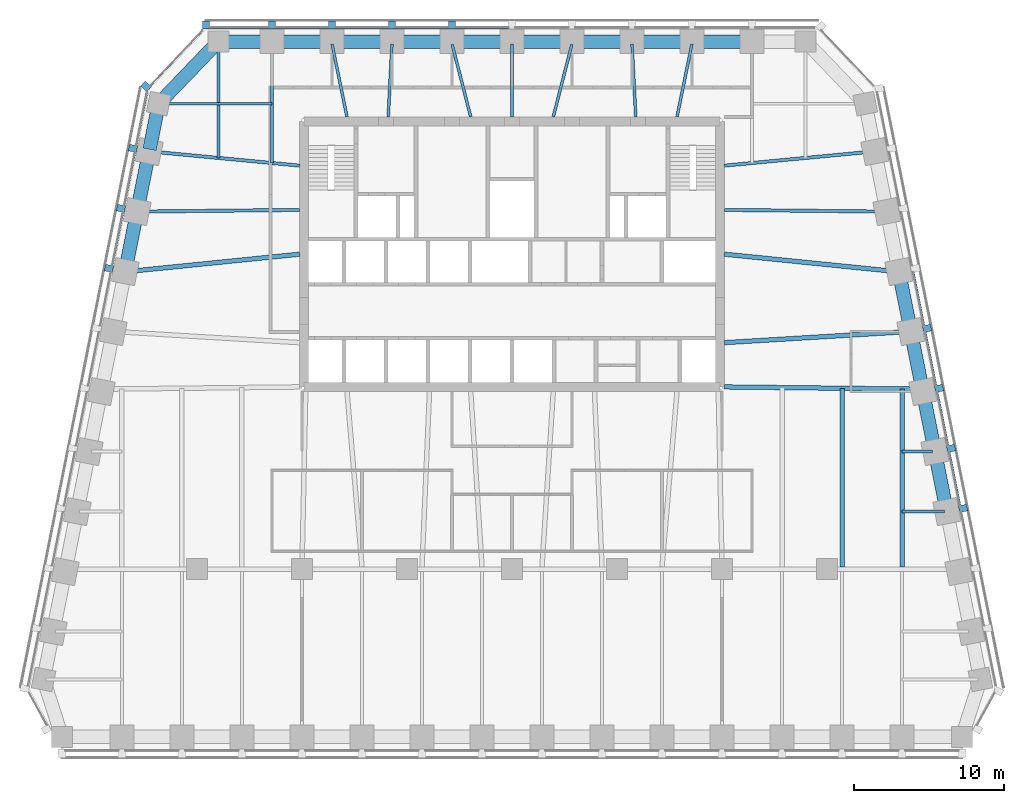
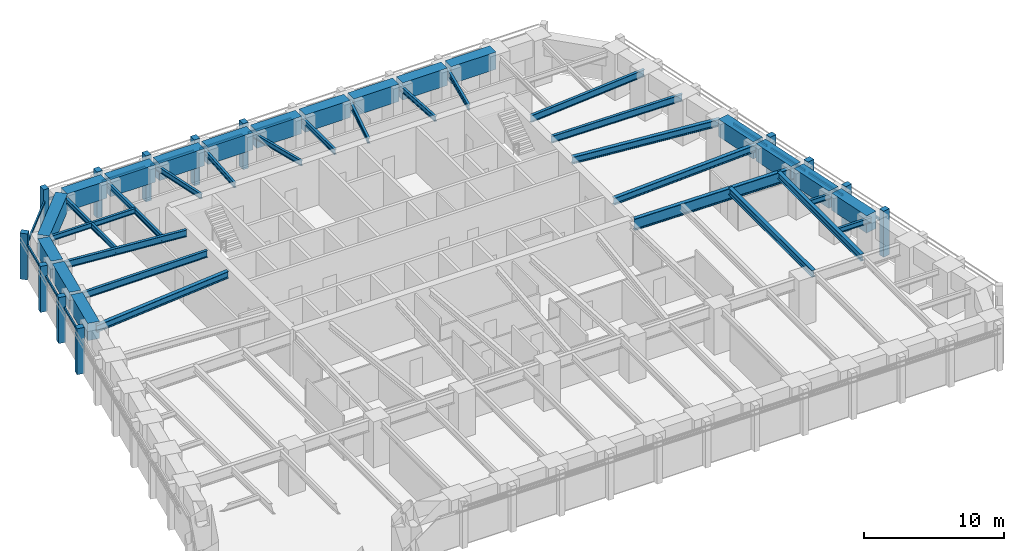
# One storey, part 3 of 10: 39 beams, 26 members, 4 elements without a shape of their own.
"""IFC4 building model written with IfcOpenShell, lengths in metres."""

from ifc_helpers import new_model, si_unit, direction, frame, origin, origin_2d, place, context, subcontext, project, spatial, rectangle, i_section, extrude, material, material_profile, profile_set, type_object, element, aggregate, save


model = new_model("IFC4")

# Units and contexts
model_context = context("Model", 3, precision=1e-05, world=origin(), true_north=direction((0.0, 1.0)))
body_context = subcontext(model_context, "Body", "Model", "MODEL_VIEW")
ifc_project = project(units=[si_unit("LENGTHUNIT", "METRE"), si_unit("AREAUNIT", "SQUARE_METRE"), si_unit("VOLUMEUNIT", "CUBIC_METRE"), si_unit("PLANEANGLEUNIT", "RADIAN"), si_unit("MASSUNIT", "GRAM", prefix="KILO")], contexts=[model_context])

# Site, building, storey
site_placement = place(None, origin())
site = spatial("IfcSite", under=ifc_project, at=site_placement, CompositionType="ELEMENT")
building_placement = place(site_placement, origin())
building = spatial("IfcBuilding", under=site, at=building_placement, Name="Isbrekke Arena Tower", CompositionType="ELEMENT")
storey_placement = place(building_placement, frame((0.0, 0.0, 186.0)))
storey = spatial("IfcBuildingStorey", under=building, at=storey_placement, Name="L42", CompositionType="ELEMENT", Elevation=186.0)

# Beams
ifc_material_1 = material(Name="Steel S355", Category="steel")
ifc_material_profile_1 = material_profile(ifc_material_1, i_section(OverallWidth=0.219970703125, OverallDepth=0.60009765625, WebThickness=0.011962890625, FlangeThickness=0.01904296875, FilletRadius=0.02392578125, at=origin_2d()), Name="IPE 600")
ifc_profile_set_1 = profile_set([ifc_material_profile_1], Name="Steel S355")
beam_type_1 = type_object("IfcBeamType", Name="B1 IPE 600", PredefinedType="BEAM", material=ifc_profile_set_1)
beam_1_placement = place(storey_placement, frame((24.83984375, 17.838134765625, 3.550048828125), z_axis=(-0.999945299061, 0.010459392202, 0.0), x_axis=(-0.010459392202, -0.999945299061, 0.0)))
element("IfcBeam", 1, at=beam_1_placement, inside=storey, type_object=beam_type_1, Name="B1 beam E-E09 L42", PredefinedType="BEAM", context=body_context, shape_type="SweptSolid", body=[
    extrude(i_section(OverallWidth=0.219970703125, OverallDepth=0.60009765625, WebThickness=0.011962890625, FlangeThickness=0.01904296875, FilletRadius=0.02392578125, at=origin_2d()), origin(), (0.0, 0.0, 1.0), 10.6904296875),
])
for number, where, z_axis, x_axis, name in (
    (2, (24.03076171875, 21.837158203125, 3.550048828125), (-0.99553133081, -0.094431823952, 0.0), (0.094431823952, -0.99553133081, 0.0), "B1 beam E-E10 L42"),
    (3, (-24.03076171875, 21.837158203125, 3.550048828125), (0.99553133081, -0.094431823952, 0.0), (0.094431823952, 0.99553133081, 0.0), "B1 beam E-W02 L42"),
):
    element("IfcBeam", number, at=place(storey_placement, frame(where, z_axis=z_axis, x_axis=x_axis)), inside=storey, type_object=beam_type_1, Name=name, PredefinedType="BEAM", context=body_context, shape_type="SweptSolid", body=[
        extrude(i_section(OverallWidth=0.219970703125, OverallDepth=0.60009765625, WebThickness=0.011962890625, FlangeThickness=0.01904296875, FilletRadius=0.02392578125, at=origin_2d()), origin(), (0.0, 0.0, 1.0), 9.92529296875),
    ])
beam_2_placement = place(storey_placement, frame((-24.83984375, 17.838134765625, 3.550048828125), z_axis=(0.999945299061, 0.010459392202, 0.0), x_axis=(-0.010459392202, 0.999945299061, 0.0)))
element("IfcBeam", 4, at=beam_2_placement, inside=storey, type_object=beam_type_1, Name="B1 beam E-W03 L42", PredefinedType="BEAM", context=body_context, shape_type="SweptSolid", body=[
    extrude(i_section(OverallWidth=0.219970703125, OverallDepth=0.60009765625, WebThickness=0.011962890625, FlangeThickness=0.01904296875, FilletRadius=0.02392578125, at=origin_2d()), origin(), (0.0, 0.0, 1.0), 10.6904296875),
])
ifc_material_2 = material(Name="Steel S355", Category="steel")
ifc_material_profile_2 = material_profile(ifc_material_2, i_section(OverallWidth=0.18994140625, OverallDepth=0.449951171875, WebThickness=0.009521484375, FlangeThickness=0.0146484375, FilletRadius=0.02099609375, at=origin_2d()), Name="IPE 450")
ifc_profile_set_2 = profile_set([ifc_material_profile_2], Name="Steel S355")
beam_type_2 = type_object("IfcBeamType", Name="B2 IPE 450", PredefinedType="BEAM", material=ifc_profile_set_2)
beam_3_placement = place(storey_placement, frame((28.841064453125, -2.161865234375, 3.625), z_axis=(-1.0, 0.0, 0.0), x_axis=(0.0, -1.0, 0.0)))
element("IfcBeam", 5, at=beam_3_placement, inside=storey, type_object=beam_type_2, Name="B2 beam E-E04 L42", PredefinedType="BEAM", context=body_context, shape_type="SweptSolid", body=[
    extrude(i_section(OverallWidth=0.18994140625, OverallDepth=0.449951171875, WebThickness=0.009521484375, FlangeThickness=0.0146484375, FilletRadius=0.02099609375, at=origin_2d()), origin(), (0.0, 0.0, 1.0), 2.841064453125),
])
beam_4_placement = place(storey_placement, frame((28.041015625, 1.838134765625, 3.625), z_axis=(-1.0, 0.0, 0.0), x_axis=(0.0, -1.0, 0.0)))
element("IfcBeam", 6, at=beam_4_placement, inside=storey, type_object=beam_type_2, Name="B2 beam E-E05 L42", PredefinedType="BEAM", context=body_context, shape_type="SweptSolid", body=[
    extrude(i_section(OverallWidth=0.18994140625, OverallDepth=0.449951171875, WebThickness=0.009521484375, FlangeThickness=0.0146484375, FilletRadius=0.02099609375, at=origin_2d()), origin(), (0.0, 0.0, 1.0), 2.041015625),
])
beam_5_placement = place(storey_placement, frame((-23.40283203125, 25.029296875, 3.625), z_axis=(1.0, 0.0, 0.0), x_axis=(0.0, 1.0, 0.0)))
element("IfcBeam", 7, at=beam_5_placement, inside=storey, type_object=beam_type_2, Name="B2 beam E-W01 L42", PredefinedType="BEAM", context=body_context, shape_type="SweptSolid", body=[
    extrude(i_section(OverallWidth=0.18994140625, OverallDepth=0.449951171875, WebThickness=0.009521484375, FlangeThickness=0.0146484375, FilletRadius=0.02099609375, at=origin_2d()), origin(), (0.0, 0.0, 1.0), 7.40283203125),
])
ifc_material_3 = material(Name="Steel S355", Category="steel")
ifc_material_profile_3 = material_profile(ifc_material_3, i_section(OverallWidth=0.18994140625, OverallDepth=0.449951171875, WebThickness=0.009521484375, FlangeThickness=0.0146484375, FilletRadius=0.02099609375, at=origin_2d()), Name="IPE 450")
ifc_profile_set_3 = profile_set([ifc_material_profile_3], Name="Steel S355")
beam_type_3 = type_object("IfcBeamType", Name="B3 IPE 450", PredefinedType="BEAM", material=ifc_profile_set_3)
beam_6_placement = place(storey_placement, frame((-16.0, 29.02490234375, 3.625), z_axis=(0.0, -1.0, 0.0), x_axis=(1.0, 0.0, 0.0)))
element("IfcBeam", 8, at=beam_6_placement, inside=storey, type_object=beam_type_3, Name="B3 beam N-N10 L42", PredefinedType="BEAM", context=body_context, shape_type="SweptSolid", body=[
    extrude(i_section(OverallWidth=0.18994140625, OverallDepth=0.449951171875, WebThickness=0.009521484375, FlangeThickness=0.0146484375, FilletRadius=0.02099609375, at=origin_2d()), origin(), (0.0, 0.0, 1.0), 7.949462890625),
])
beam_7_placement = place(storey_placement, frame((-19.574951171875, 29.02490234375, 3.625), z_axis=(0.0, -1.0, 0.0), x_axis=(1.0, 0.0, 0.0)))
element("IfcBeam", 9, at=beam_7_placement, inside=storey, type_object=beam_type_3, Name="B3 beam N-N11 L42", PredefinedType="BEAM", context=body_context, shape_type="SweptSolid", body=[
    extrude(i_section(OverallWidth=0.18994140625, OverallDepth=0.449951171875, WebThickness=0.009521484375, FlangeThickness=0.0146484375, FilletRadius=0.02099609375, at=origin_2d()), origin(), (0.0, 0.0, 1.0), 7.6103515625),
])
beam_8_placement = place(storey_placement, frame((11.99609375, 29.00634765625, 3.625), z_axis=(-0.200924755878, -0.979606677435, 0.0), x_axis=(0.979606677435, -0.200924755878, 0.0)))
element("IfcBeam", 10, at=beam_8_placement, inside=storey, type_object=beam_type_3, Name="B3 beam N-N03 L42", PredefinedType="BEAM", context=body_context, shape_type="SweptSolid", body=[
    extrude(i_section(OverallWidth=0.18994140625, OverallDepth=0.449951171875, WebThickness=0.009521484375, FlangeThickness=0.0146484375, FilletRadius=0.02099609375, at=origin_2d()), origin(), (0.0, 0.0, 1.0), 4.95751953125),
])
beam_9_placement = place(storey_placement, frame((8.000244140625, 29.02001953125, 3.625), z_axis=(0.051216032312, -0.998687597817, 0.0), x_axis=(0.998687597817, 0.051216032312, 0.0)))
element("IfcBeam", 11, at=beam_9_placement, inside=storey, type_object=beam_type_3, Name="B3 beam N-N04 L42", PredefinedType="BEAM", context=body_context, shape_type="SweptSolid", body=[
    extrude(i_section(OverallWidth=0.18994140625, OverallDepth=0.449951171875, WebThickness=0.009521484375, FlangeThickness=0.0146484375, FilletRadius=0.02099609375, at=origin_2d()), origin(), (0.0, 0.0, 1.0), 4.87646484375),
])
beam_10_placement = place(storey_placement, frame((3.994140625, 29.002197265625, 3.625), z_axis=(-0.248368314686, -0.968665670012, 0.0), x_axis=(0.968665670012, -0.248368314686, 0.0)))
element("IfcBeam", 12, at=beam_10_placement, inside=storey, type_object=beam_type_3, Name="B3 beam N-N05 L42", PredefinedType="BEAM", context=body_context, shape_type="SweptSolid", body=[
    extrude(i_section(OverallWidth=0.18994140625, OverallDepth=0.449951171875, WebThickness=0.009521484375, FlangeThickness=0.0146484375, FilletRadius=0.02099609375, at=origin_2d()), origin(), (0.0, 0.0, 1.0), 5.00927734375),
])
beam_11_placement = place(storey_placement, frame((0.0, 29.02490234375, 3.625), z_axis=(0.0, -1.0, 0.0), x_axis=(1.0, 0.0, 0.0)))
element("IfcBeam", 13, at=beam_11_placement, inside=storey, type_object=beam_type_3, Name="B3 beam N-N06 L42", PredefinedType="BEAM", context=body_context, shape_type="SweptSolid", body=[
    extrude(i_section(OverallWidth=0.18994140625, OverallDepth=0.449951171875, WebThickness=0.009521484375, FlangeThickness=0.0146484375, FilletRadius=0.02099609375, at=origin_2d()), origin(), (0.0, 0.0, 1.0), 4.875),
])
beam_12_placement = place(storey_placement, frame((-3.994140625, 29.002197265625, 3.625), z_axis=(0.248368314686, -0.968665670012, 0.0), x_axis=(0.968665670012, 0.248368314686, 0.0)))
element("IfcBeam", 14, at=beam_12_placement, inside=storey, type_object=beam_type_3, Name="B3 beam N-N07 L42", PredefinedType="BEAM", context=body_context, shape_type="SweptSolid", body=[
    extrude(i_section(OverallWidth=0.18994140625, OverallDepth=0.449951171875, WebThickness=0.009521484375, FlangeThickness=0.0146484375, FilletRadius=0.02099609375, at=origin_2d()), origin(), (0.0, 0.0, 1.0), 5.00927734375),
])
beam_13_placement = place(storey_placement, frame((-8.000244140625, 29.02001953125, 3.625), z_axis=(-0.051216032312, -0.998687597817, 0.0), x_axis=(0.998687597817, -0.051216032312, 0.0)))
element("IfcBeam", 15, at=beam_13_placement, inside=storey, type_object=beam_type_3, Name="B3 beam N-N08 L42", PredefinedType="BEAM", context=body_context, shape_type="SweptSolid", body=[
    extrude(i_section(OverallWidth=0.18994140625, OverallDepth=0.449951171875, WebThickness=0.009521484375, FlangeThickness=0.0146484375, FilletRadius=0.02099609375, at=origin_2d()), origin(), (0.0, 0.0, 1.0), 4.87646484375),
])
beam_14_placement = place(storey_placement, frame((-11.99609375, 29.00634765625, 3.625), z_axis=(0.200924755878, -0.979606677435, 0.0), x_axis=(0.979606677435, 0.200924755878, 0.0)))
element("IfcBeam", 16, at=beam_14_placement, inside=storey, type_object=beam_type_3, Name="B3 beam N-N09 L42", PredefinedType="BEAM", context=body_context, shape_type="SweptSolid", body=[
    extrude(i_section(OverallWidth=0.18994140625, OverallDepth=0.449951171875, WebThickness=0.009521484375, FlangeThickness=0.0146484375, FilletRadius=0.02099609375, at=origin_2d()), origin(), (0.0, 0.0, 1.0), 4.95751953125),
])
ifc_material_4 = material(Name="Steel S355", Category="steel")
ifc_material_profile_4 = material_profile(ifc_material_4, i_section(OverallWidth=0.300048828125, OverallDepth=0.60009765625, WebThickness=0.015380859375, FlangeThickness=0.030029296875, FilletRadius=0.027099609375, at=origin_2d()), Name="HEB 600")
ifc_profile_set_4 = profile_set([ifc_material_profile_4], Name="Steel S355")
beam_type_4 = type_object("IfcBeamType", Name="B7 HEB 600", PredefinedType="BEAM", material=ifc_profile_set_4)
beam_15_placement = place(storey_placement, frame((22.0, -5.84912109375, 3.550048828125), z_axis=(0.0, 1.0, 0.0), x_axis=(-1.0, 0.0, 0.0)))
element("IfcBeam", 17, at=beam_15_placement, inside=storey, type_object=beam_type_4, Name="B7 beam C-M13 L42", PredefinedType="BEAM", context=body_context, shape_type="SweptSolid", body=[
    extrude(i_section(OverallWidth=0.300048828125, OverallDepth=0.60009765625, WebThickness=0.015380859375, FlangeThickness=0.030029296875, FilletRadius=0.027099609375, at=origin_2d()), origin(), (0.0, 0.0, 1.0), 11.91015625),
])
beam_16_placement = place(storey_placement, frame((26.0, -5.84912109375, 3.550048828125), z_axis=(0.0, 1.0, 0.0), x_axis=(-1.0, 0.0, 0.0)))
element("IfcBeam", 18, at=beam_16_placement, inside=storey, type_object=beam_type_4, Name="B7 beam C-M14 L42", PredefinedType="BEAM", context=body_context, shape_type="SweptSolid", body=[
    extrude(i_section(OverallWidth=0.300048828125, OverallDepth=0.60009765625, WebThickness=0.015380859375, FlangeThickness=0.030029296875, FilletRadius=0.027099609375, at=origin_2d()), origin(), (0.0, 0.0, 1.0), 11.864990234375),
])
beam_17_placement = place(storey_placement, frame((26.43212890625, 9.837646484375, 3.550048828125), z_axis=(-0.998201854902, -0.059942112659, 0.0), x_axis=(0.059942112659, -0.998201854902, 0.0)))
element("IfcBeam", 19, at=beam_17_placement, inside=storey, type_object=beam_type_4, Name="B7 beam E-E07 L42", PredefinedType="BEAM", context=body_context, shape_type="SweptSolid", body=[
    extrude(i_section(OverallWidth=0.300048828125, OverallDepth=0.60009765625, WebThickness=0.015380859375, FlangeThickness=0.030029296875, FilletRadius=0.027099609375, at=origin_2d()), origin(), (0.0, 0.0, 1.0), 12.304443359375),
])
for number, where, z_axis, x_axis, name in (
    (20, (25.6259765625, 13.83984375, 3.550048828125), (-0.994928891111, 0.100580821396, 0.0), (-0.100580821396, -0.994928891111, 0.0), "B7 beam E-E08 L42"),
    (21, (-25.6259765625, 13.83984375, 3.550048828125), (0.994928891111, 0.100580821396, 0.0), (-0.100580821396, 0.994928891111, 0.0), "B7 beam E-W04 L42"),
):
    element("IfcBeam", number, at=place(storey_placement, frame(where, z_axis=z_axis, x_axis=x_axis)), inside=storey, type_object=beam_type_4, Name=name, PredefinedType="BEAM", context=body_context, shape_type="SweptSolid", body=[
        extrude(i_section(OverallWidth=0.300048828125, OverallDepth=0.60009765625, WebThickness=0.015380859375, FlangeThickness=0.030029296875, FilletRadius=0.027099609375, at=origin_2d()), origin(), (0.0, 0.0, 1.0), 11.53466796875),
    ])

# Curtain wall, members
ifc_material_5 = material(Name="Glazed aluminium curtain wall", Category="aluminium")
curtain_wall_type = type_object("IfcCurtainWallType", Name="CWH TOWER CURTAIN WALL HIGH ZONE", PredefinedType="USERDEFINED", material=ifc_material_5)
curtain_wall_1_placement = place(storey_placement, origin())
curtain_wall_1 = element("IfcCurtainWall", 22, at=curtain_wall_1_placement, inside=storey, type_object=curtain_wall_type, Name="CWH curtain wall L42-E", ObjectType="TOWER CURTAIN WALL HIGH ZONE", PredefinedType="USERDEFINED")
ifc_material_6 = material(Name="Aluminium mullion, pale brick slip cladding", Category="masonry")
ifc_material_profile_5 = material_profile(ifc_material_6, rectangle(XDim=0.449951171875, YDim=0.550048828125, at=origin_2d()), Name="PIER 450X550")
ifc_profile_set_5 = profile_set([ifc_material_profile_5], Name="Aluminium mullion, pale brick slip cladding")
member_type_1 = type_object("IfcMemberType", Name="CWH-M PIER MULLION 450 x 550", PredefinedType="MULLION", material=ifc_profile_set_5)
member_1_placement = place(storey_placement, frame((30.069580078125, -1.946044921875, 0.0), z_axis=(0.0, 0.0, 1.0), x_axis=(-0.196116135138, 0.980580675691, 0.0)))
member_1 = element("IfcMember", 23, at=member_1_placement, type_object=member_type_1, Name="CWH-M mullion 3", PredefinedType="MULLION", context=body_context, shape_type="SweptSolid", body=[
    extrude(rectangle(XDim=0.449951171875, YDim=0.550048828125, at=origin_2d()), origin(), (0.0, 0.0, 1.0), 4.0),
])
member_2_placement = place(storey_placement, frame((29.269775390625, 2.053955078125, 0.0), z_axis=(0.0, 0.0, 1.0), x_axis=(-0.196116135138, 0.980580675691, 0.0)))
member_2 = element("IfcMember", 24, at=member_2_placement, type_object=member_type_1, Name="CWH-M mullion 4", PredefinedType="MULLION", context=body_context, shape_type="SweptSolid", body=[
    extrude(rectangle(XDim=0.449951171875, YDim=0.550048828125, at=origin_2d()), origin(), (0.0, 0.0, 1.0), 4.0),
])
member_3_placement = place(storey_placement, frame((28.4697265625, 6.053955078125, 0.0), z_axis=(0.0, 0.0, 1.0), x_axis=(-0.196116135138, 0.980580675691, 0.0)))
member_3 = element("IfcMember", 25, at=member_3_placement, type_object=member_type_1, Name="CWH-M mullion 5", PredefinedType="MULLION", context=body_context, shape_type="SweptSolid", body=[
    extrude(rectangle(XDim=0.449951171875, YDim=0.550048828125, at=origin_2d()), origin(), (0.0, 0.0, 1.0), 4.0),
])
member_4_placement = place(storey_placement, frame((27.669677734375, 10.053955078125, 0.0), z_axis=(0.0, 0.0, 1.0), x_axis=(-0.196116135138, 0.980580675691, 0.0)))
member_4 = element("IfcMember", 26, at=member_4_placement, type_object=member_type_1, Name="CWH-M mullion 6", PredefinedType="MULLION", context=body_context, shape_type="SweptSolid", body=[
    extrude(rectangle(XDim=0.449951171875, YDim=0.550048828125, at=origin_2d()), origin(), (0.0, 0.0, 1.0), 4.0),
])

curtain_wall_2_placement = place(storey_placement, origin())
curtain_wall_2 = element("IfcCurtainWall", 27, at=curtain_wall_2_placement, inside=storey, type_object=curtain_wall_type, Name="CWH curtain wall L42-N", ObjectType="TOWER CURTAIN WALL HIGH ZONE", PredefinedType="USERDEFINED")
member_5_placement = place(storey_placement, frame((-4.0, 30.27490234375, 0.0), z_axis=(0.0, 0.0, 1.0), x_axis=(-1.0, 0.0, 0.0)))
member_5 = element("IfcMember", 28, at=member_5_placement, type_object=member_type_1, Name="CWH-M mullion 6", PredefinedType="MULLION", context=body_context, shape_type="SweptSolid", body=[
    extrude(rectangle(XDim=0.449951171875, YDim=0.550048828125, at=origin_2d()), origin(), (0.0, 0.0, 1.0), 4.0),
])
member_6_placement = place(storey_placement, frame((-8.0, 30.27490234375, 0.0), z_axis=(0.0, 0.0, 1.0), x_axis=(-1.0, 0.0, 0.0)))
member_6 = element("IfcMember", 29, at=member_6_placement, type_object=member_type_1, Name="CWH-M mullion 7", PredefinedType="MULLION", context=body_context, shape_type="SweptSolid", body=[
    extrude(rectangle(XDim=0.449951171875, YDim=0.550048828125, at=origin_2d()), origin(), (0.0, 0.0, 1.0), 4.0),
])
member_7_placement = place(storey_placement, frame((-12.0, 30.27490234375, 0.0), z_axis=(0.0, 0.0, 1.0), x_axis=(-1.0, 0.0, 0.0)))
member_7 = element("IfcMember", 30, at=member_7_placement, type_object=member_type_1, Name="CWH-M mullion 8", PredefinedType="MULLION", context=body_context, shape_type="SweptSolid", body=[
    extrude(rectangle(XDim=0.449951171875, YDim=0.550048828125, at=origin_2d()), origin(), (0.0, 0.0, 1.0), 4.0),
])
member_8_placement = place(storey_placement, frame((-16.0, 30.27490234375, 0.0), z_axis=(0.0, 0.0, 1.0), x_axis=(-1.0, 0.0, 0.0)))
member_8 = element("IfcMember", 31, at=member_8_placement, type_object=member_type_1, Name="CWH-M mullion 9", PredefinedType="MULLION", context=body_context, shape_type="SweptSolid", body=[
    extrude(rectangle(XDim=0.449951171875, YDim=0.550048828125, at=origin_2d()), origin(), (0.0, 0.0, 1.0), 4.0),
])
member_9_placement = place(storey_placement, frame((-20.39990234375, 30.27490234375, 0.0), z_axis=(0.0, 0.0, 1.0), x_axis=(-1.0, 0.0, 0.0)))
member_9 = element("IfcMember", 32, at=member_9_placement, type_object=member_type_1, Name="CWH-M mullion 10", PredefinedType="MULLION", context=body_context, shape_type="SweptSolid", body=[
    extrude(rectangle(XDim=0.449951171875, YDim=0.550048828125, at=origin_2d()), origin(), (0.0, 0.0, 1.0), 4.0),
])

# Curtain wall, member
curtain_wall_3_placement = place(storey_placement, origin())
curtain_wall_3 = element("IfcCurtainWall", 33, at=curtain_wall_3_placement, inside=storey, type_object=curtain_wall_type, Name="CWH curtain wall L42-NW", ObjectType="TOWER CURTAIN WALL HIGH ZONE", PredefinedType="USERDEFINED")
member_10_placement = place(storey_placement, frame((-24.3994140625, 26.189453125, 0.0), z_axis=(0.0, 0.0, 1.0), x_axis=(-0.68874946192, -0.72499943359, 0.0)))
member_10 = element("IfcMember", 34, at=member_10_placement, type_object=member_type_1, Name="CWH-M mullion 1", PredefinedType="MULLION", context=body_context, shape_type="SweptSolid", body=[
    extrude(rectangle(XDim=0.449951171875, YDim=0.550048828125, at=origin_2d()), origin(), (0.0, 0.0, 1.0), 4.0),
])

# Curtain wall, members
curtain_wall_4_placement = place(storey_placement, origin())
curtain_wall_4 = element("IfcCurtainWall", 35, at=curtain_wall_4_placement, inside=storey, type_object=curtain_wall_type, Name="CWH curtain wall L42-W", ObjectType="TOWER CURTAIN WALL HIGH ZONE", PredefinedType="USERDEFINED")
member_11_placement = place(storey_placement, frame((-25.269775390625, 22.053955078125, 0.0), z_axis=(0.0, 0.0, 1.0), x_axis=(-0.196116135138, -0.980580675691, 0.0)))
member_11 = element("IfcMember", 36, at=member_11_placement, type_object=member_type_1, Name="CWH-M mullion 1", PredefinedType="MULLION", context=body_context, shape_type="SweptSolid", body=[
    extrude(rectangle(XDim=0.449951171875, YDim=0.550048828125, at=origin_2d()), origin(), (0.0, 0.0, 1.0), 4.0),
])
member_12_placement = place(storey_placement, frame((-26.069580078125, 18.053955078125, 0.0), z_axis=(0.0, 0.0, 1.0), x_axis=(-0.196116135138, -0.980580675691, 0.0)))
member_12 = element("IfcMember", 37, at=member_12_placement, type_object=member_type_1, Name="CWH-M mullion 2", PredefinedType="MULLION", context=body_context, shape_type="SweptSolid", body=[
    extrude(rectangle(XDim=0.449951171875, YDim=0.550048828125, at=origin_2d()), origin(), (0.0, 0.0, 1.0), 4.0),
])
member_13_placement = place(storey_placement, frame((-26.86962890625, 14.053955078125, 0.0), z_axis=(0.0, 0.0, 1.0), x_axis=(-0.196116135138, -0.980580675691, 0.0)))
member_13 = element("IfcMember", 38, at=member_13_placement, type_object=member_type_1, Name="CWH-M mullion 3", PredefinedType="MULLION", context=body_context, shape_type="SweptSolid", body=[
    extrude(rectangle(XDim=0.449951171875, YDim=0.550048828125, at=origin_2d()), origin(), (0.0, 0.0, 1.0), 4.0),
])

# Member
ifc_material_7 = material(Name="Aluminium transom", Category="aluminium")
ifc_material_profile_6 = material_profile(ifc_material_7, rectangle(XDim=0.1201171875, YDim=0.199951171875, at=origin_2d()), Name="TRANSOM 120X200")
ifc_profile_set_6 = profile_set([ifc_material_profile_6], Name="Aluminium transom")
member_type_2 = type_object("IfcMemberType", Name="CWH-T TRANSOM 120 x 200", PredefinedType="USERDEFINED", material=ifc_profile_set_6)
member_14_placement = place(storey_placement, frame((29.85400390625, -1.759765625, 3.0), z_axis=(-0.196154943734, 0.980572913173, 0.0), x_axis=(-0.980572913173, -0.196154943734, 0.0)))
member_14 = element("IfcMember", 39, at=member_14_placement, type_object=member_type_2, Name="CWH-T transom 4", ObjectType="TRANSOM", PredefinedType="USERDEFINED", context=body_context, shape_type="SweptSolid", body=[
    extrude(rectangle(XDim=0.1201171875, YDim=0.199951171875, at=origin_2d()), origin(), (0.0, 0.0, 1.0), 3.62939453125),
])

member_15_placement = place(storey_placement, frame((29.053955078125, 2.240234375, 3.0), z_axis=(-0.196090262229, 0.980585849918, 0.0), x_axis=(-0.980585849918, -0.196090262229, 0.0)))
member_15 = element("IfcMember", 40, at=member_15_placement, type_object=member_type_2, Name="CWH-T transom 5", ObjectType="TRANSOM", PredefinedType="USERDEFINED", context=body_context, shape_type="SweptSolid", body=[
    extrude(rectangle(XDim=0.1201171875, YDim=0.199951171875, at=origin_2d()), origin(), (0.0, 0.0, 1.0), 3.62939453125),
])

member_16_placement = place(storey_placement, frame((28.25390625, 6.240234375, 3.0), z_axis=(-0.196090262229, 0.980585849918, 0.0), x_axis=(-0.980585849918, -0.196090262229, 0.0)))
member_16 = element("IfcMember", 41, at=member_16_placement, type_object=member_type_2, Name="CWH-T transom 6", ObjectType="TRANSOM", PredefinedType="USERDEFINED", context=body_context, shape_type="SweptSolid", body=[
    extrude(rectangle(XDim=0.1201171875, YDim=0.199951171875, at=origin_2d()), origin(), (0.0, 0.0, 1.0), 3.62939453125),
])

member_17_placement = place(storey_placement, frame((27.453857421875, 10.240234375, 3.0), z_axis=(-0.196090262229, 0.980585849918, 0.0), x_axis=(-0.980585849918, -0.196090262229, 0.0)))
member_17 = element("IfcMember", 42, at=member_17_placement, type_object=member_type_2, Name="CWH-T transom 7", ObjectType="TRANSOM", PredefinedType="USERDEFINED", context=body_context, shape_type="SweptSolid", body=[
    extrude(rectangle(XDim=0.1201171875, YDim=0.199951171875, at=origin_2d()), origin(), (0.0, 0.0, 1.0), 3.62939453125),
])

aggregate(curtain_wall_1, [member_1, member_2, member_3, member_4, member_14, member_15, member_16, member_17])

member_18_placement = place(storey_placement, frame((-0.22509765625, 30.10009765625, 3.0), z_axis=(-1.0, 0.0, 0.0), x_axis=(0.0, -1.0, 0.0)))
member_18 = element("IfcMember", 43, at=member_18_placement, type_object=member_type_2, Name="CWH-T transom 6", ObjectType="TRANSOM", PredefinedType="USERDEFINED", context=body_context, shape_type="SweptSolid", body=[
    extrude(rectangle(XDim=0.1201171875, YDim=0.199951171875, at=origin_2d()), origin(), (0.0, 0.0, 1.0), 3.5498046875),
])

member_19_placement = place(storey_placement, frame((-4.22509765625, 30.10009765625, 3.0), z_axis=(-1.0, 0.0, 0.0), x_axis=(0.0, -1.0, 0.0)))
member_19 = element("IfcMember", 44, at=member_19_placement, type_object=member_type_2, Name="CWH-T transom 7", ObjectType="TRANSOM", PredefinedType="USERDEFINED", context=body_context, shape_type="SweptSolid", body=[
    extrude(rectangle(XDim=0.1201171875, YDim=0.199951171875, at=origin_2d()), origin(), (0.0, 0.0, 1.0), 3.5498046875),
])

member_20_placement = place(storey_placement, frame((-8.22509765625, 30.10009765625, 3.0), z_axis=(-1.0, 0.0, 0.0), x_axis=(0.0, -1.0, 0.0)))
member_20 = element("IfcMember", 45, at=member_20_placement, type_object=member_type_2, Name="CWH-T transom 8", ObjectType="TRANSOM", PredefinedType="USERDEFINED", context=body_context, shape_type="SweptSolid", body=[
    extrude(rectangle(XDim=0.1201171875, YDim=0.199951171875, at=origin_2d()), origin(), (0.0, 0.0, 1.0), 3.5498046875),
])

member_21_placement = place(storey_placement, frame((-12.22509765625, 30.10009765625, 3.0), z_axis=(-1.0, 0.0, 0.0), x_axis=(0.0, -1.0, 0.0)))
member_21 = element("IfcMember", 46, at=member_21_placement, type_object=member_type_2, Name="CWH-T transom 9", ObjectType="TRANSOM", PredefinedType="USERDEFINED", context=body_context, shape_type="SweptSolid", body=[
    extrude(rectangle(XDim=0.1201171875, YDim=0.199951171875, at=origin_2d()), origin(), (0.0, 0.0, 1.0), 3.5498046875),
])

member_22_placement = place(storey_placement, frame((-16.22509765625, 30.10009765625, 3.0), z_axis=(-1.0, 0.0, 0.0), x_axis=(0.0, -1.0, 0.0)))
member_22 = element("IfcMember", 47, at=member_22_placement, type_object=member_type_2, Name="CWH-T transom 10", ObjectType="TRANSOM", PredefinedType="USERDEFINED", context=body_context, shape_type="SweptSolid", body=[
    extrude(rectangle(XDim=0.1201171875, YDim=0.199951171875, at=origin_2d()), origin(), (0.0, 0.0, 1.0), 3.949951171875),
])

aggregate(curtain_wall_2, [member_5, member_6, member_7, member_8, member_9, member_18, member_19, member_20, member_21, member_22])

member_23_placement = place(storey_placement, frame((-20.62744140625, 29.90576171875, 3.0), z_axis=(-0.688734266994, -0.725013868466, 0.0), x_axis=(0.725013868466, -0.688734266994, 0.0)))
member_23 = element("IfcMember", 48, at=member_23_placement, type_object=member_type_2, Name="CWH-T transom 1", ObjectType="TRANSOM", PredefinedType="USERDEFINED", context=body_context, shape_type="SweptSolid", body=[
    extrude(rectangle(XDim=0.1201171875, YDim=0.199951171875, at=origin_2d()), origin(), (0.0, 0.0, 1.0), 5.067138671875),
])

aggregate(curtain_wall_3, [member_10, member_23])

member_24_placement = place(storey_placement, frame((-24.34228515625, 25.799072265625, 3.0), z_axis=(-0.196090262229, -0.980585849918, 0.0), x_axis=(0.980585849918, -0.196090262229, 0.0)))
member_24 = element("IfcMember", 49, at=member_24_placement, type_object=member_type_2, Name="CWH-T transom 1", ObjectType="TRANSOM", PredefinedType="USERDEFINED", context=body_context, shape_type="SweptSolid", body=[
    extrude(rectangle(XDim=0.1201171875, YDim=0.199951171875, at=origin_2d()), origin(), (0.0, 0.0, 1.0), 3.62939453125),
])

member_25_placement = place(storey_placement, frame((-25.14208984375, 21.799072265625, 3.0), z_axis=(-0.196154943734, -0.980572913173, 0.0), x_axis=(0.980572913173, -0.196154943734, 0.0)))
member_25 = element("IfcMember", 50, at=member_25_placement, type_object=member_type_2, Name="CWH-T transom 2", ObjectType="TRANSOM", PredefinedType="USERDEFINED", context=body_context, shape_type="SweptSolid", body=[
    extrude(rectangle(XDim=0.1201171875, YDim=0.199951171875, at=origin_2d()), origin(), (0.0, 0.0, 1.0), 3.62939453125),
])

member_26_placement = place(storey_placement, frame((-25.942138671875, 17.799072265625, 3.0), z_axis=(-0.196154943734, -0.980572913173, 0.0), x_axis=(0.980572913173, -0.196154943734, 0.0)))
member_26 = element("IfcMember", 51, at=member_26_placement, type_object=member_type_2, Name="CWH-T transom 3", ObjectType="TRANSOM", PredefinedType="USERDEFINED", context=body_context, shape_type="SweptSolid", body=[
    extrude(rectangle(XDim=0.1201171875, YDim=0.199951171875, at=origin_2d()), origin(), (0.0, 0.0, 1.0), 3.62939453125),
])

aggregate(curtain_wall_4, [member_11, member_12, member_13, member_24, member_25, member_26])

# Beams
ifc_material_8 = material(Name="Steel S355", Category="steel")
ifc_material_profile_7 = material_profile(ifc_material_8, i_section(OverallWidth=0.302001953125, OverallDepth=1.008056640625, WebThickness=0.02099609375, FlangeThickness=0.0400390625, FilletRadius=0.030029296875, at=origin_2d()), Name="HEM 1000")
ifc_profile_set_7 = profile_set([ifc_material_profile_7], Name="Steel S355")
beam_type_5 = type_object("IfcBeamType", Name="G2 HEM 1000", PredefinedType="BEAM", material=ifc_profile_set_7)
beam_18_placement = place(storey_placement, frame((14.14990234375, 6.14990234375, 3.345947265625), z_axis=(0.999935908299, -0.011321629528, 0.0), x_axis=(0.011321629528, 0.999935908299, 0.0)))
element("IfcBeam", 52, at=beam_18_placement, inside=storey, type_object=beam_type_5, Name="G2 beam G2-E L42", PredefinedType="BEAM", context=body_context, shape_type="SweptSolid", body=[
    extrude(i_section(OverallWidth=0.302001953125, OverallDepth=1.008056640625, WebThickness=0.02099609375, FlangeThickness=0.0400390625, FilletRadius=0.030029296875, at=origin_2d()), origin(), (0.0, 0.0, 1.0), 13.240234375),
])
ifc_material_9 = material(Name="Concrete B65 (C65/80)", Category="concrete")
ifc_material_profile_8 = material_profile(ifc_material_9, rectangle(XDim=0.89990234375, YDim=1.5, at=origin_2d()), Name="RC 900x1500")
ifc_profile_set_8 = profile_set([ifc_material_profile_8], Name="Concrete B65 (C65/80)")
beam_type_6 = type_object("IfcBeamType", Name="SB3 RC 900 x 1500", PredefinedType="SPANDREL", material=ifc_profile_set_8)
for number, where, z_axis, x_axis, name in (
    (53, (28.961669921875, -2.0146484375, 3.25), (-0.196128558387, 0.980578190959, 0.0), (-0.980578190959, -0.196128558387, 0.0), "SB3 spandrel E04-E05 L42"),
    (54, (28.16162109375, 1.9853515625, 3.25), (-0.196128558387, 0.980578190959, 0.0), (-0.980578190959, -0.196128558387, 0.0), "SB3 spandrel E05-E06 L42"),
    (55, (27.361572265625, 5.9853515625, 3.25), (-0.196128558387, 0.980578190959, 0.0), (-0.980578190959, -0.196128558387, 0.0), "SB3 spandrel E06-E07 L42"),
):
    element("IfcBeam", number, at=place(storey_placement, frame(where, z_axis=z_axis, x_axis=x_axis)), inside=storey, type_object=beam_type_6, Name=name, PredefinedType="SPANDREL", context=body_context, shape_type="SweptSolid", body=[
        extrude(rectangle(XDim=0.89990234375, YDim=1.5, at=origin_2d()), origin(), (0.0, 0.0, 1.0), 3.779296875),
    ])
beam_19_placement = place(storey_placement, frame((26.5615234375, 9.9853515625, 3.25), z_axis=(-0.1960664412, 0.980590613169, 0.0), x_axis=(-0.980590613169, -0.1960664412, 0.0)))
element("IfcBeam", 56, at=beam_19_placement, inside=storey, type_object=beam_type_6, Name="SB3 spandrel E07-E08 L42", PredefinedType="SPANDREL", context=body_context, shape_type="SweptSolid", body=[
    extrude(rectangle(XDim=0.89990234375, YDim=1.5, at=origin_2d()), origin(), (0.0, 0.0, 1.0), 3.779052734375),
])
for number, where, z_axis, x_axis, name in (
    (57, (15.85009765625, 29.175048828125, 3.25), (-1.0, 0.0, 0.0), (0.0, -1.0, 0.0), "SB3 spandrel N02-N03 L42"),
    (58, (11.85009765625, 29.175048828125, 3.25), (-1.0, 0.0, 0.0), (0.0, -1.0, 0.0), "SB3 spandrel N03-N04 L42"),
    (59, (7.85009765625, 29.175048828125, 3.25), (-1.0, 0.0, 0.0), (0.0, -1.0, 0.0), "SB3 spandrel N04-N05 L42"),
    (60, (3.85009765625, 29.175048828125, 3.25), (-1.0, 0.0, 0.0), (0.0, -1.0, 0.0), "SB3 spandrel N05-N06 L42"),
    (61, (-0.14990234375, 29.175048828125, 3.25), (-1.0, 0.0, 0.0), (0.0, -1.0, 0.0), "SB3 spandrel N06-N07 L42"),
    (62, (-4.14990234375, 29.175048828125, 3.25), (-1.0, 0.0, 0.0), (0.0, -1.0, 0.0), "SB3 spandrel N07-N08 L42"),
    (63, (-8.14990234375, 29.175048828125, 3.25), (-1.0, 0.0, 0.0), (0.0, -1.0, 0.0), "SB3 spandrel N08-N09 L42"),
    (64, (-12.14990234375, 29.175048828125, 3.25), (-1.0, 0.0, 0.0), (0.0, -1.0, 0.0), "SB3 spandrel N09-N10 L42"),
):
    element("IfcBeam", number, at=place(storey_placement, frame(where, z_axis=z_axis, x_axis=x_axis)), inside=storey, type_object=beam_type_6, Name=name, PredefinedType="SPANDREL", context=body_context, shape_type="SweptSolid", body=[
        extrude(rectangle(XDim=0.89990234375, YDim=1.5, at=origin_2d()), origin(), (0.0, 0.0, 1.0), 3.7001953125),
    ])
beam_20_placement = place(storey_placement, frame((-16.14990234375, 29.175048828125, 3.25), z_axis=(-1.0, 0.0, 0.0), x_axis=(0.0, -1.0, 0.0)))
element("IfcBeam", 65, at=beam_20_placement, inside=storey, type_object=beam_type_6, Name="SB3 spandrel N10-N11 L42", PredefinedType="SPANDREL", context=body_context, shape_type="SweptSolid", body=[
    extrude(rectangle(XDim=0.89990234375, YDim=1.5, at=origin_2d()), origin(), (0.0, 0.0, 1.0), 3.275146484375),
])
beam_21_placement = place(storey_placement, frame((-19.678955078125, 29.066650390625, 3.25), z_axis=(-0.692339547635, -0.721571861134, 0.0), x_axis=(0.721571861134, -0.692339547635, 0.0)))
element("IfcBeam", 66, at=beam_21_placement, inside=storey, type_object=beam_type_6, Name="SB3 spandrel N11-W01 L42", PredefinedType="SPANDREL", context=body_context, shape_type="SweptSolid", body=[
    extrude(rectangle(XDim=0.89990234375, YDim=1.5, at=origin_2d()), origin(), (0.0, 0.0, 1.0), 5.4453125),
])
beam_22_placement = place(storey_placement, frame((-23.582275390625, 24.882080078125, 3.25), z_axis=(-0.196116135138, -0.980580675691, 0.0), x_axis=(0.980580675691, -0.196116135138, 0.0)))
element("IfcBeam", 67, at=beam_22_placement, inside=storey, type_object=beam_type_6, Name="SB3 spandrel W01-W02 L42", PredefinedType="SPANDREL", context=body_context, shape_type="SweptSolid", body=[
    extrude(rectangle(XDim=0.89990234375, YDim=1.5, at=origin_2d()), origin(), (0.0, 0.0, 1.0), 2.9541015625),
])
for number, where, z_axis, x_axis, name in (
    (68, (-24.220458984375, 21.691162109375, 3.25), (-0.196128558387, -0.980578190959, 0.0), (0.980578190959, -0.196128558387, 0.0), "SB3 spandrel W02-W03 L42"),
    (69, (-25.0205078125, 17.691162109375, 3.25), (-0.196128558387, -0.980578190959, 0.0), (0.980578190959, -0.196128558387, 0.0), "SB3 spandrel W03-W04 L42"),
):
    element("IfcBeam", number, at=place(storey_placement, frame(where, z_axis=z_axis, x_axis=x_axis)), inside=storey, type_object=beam_type_6, Name=name, PredefinedType="SPANDREL", context=body_context, shape_type="SweptSolid", body=[
        extrude(rectangle(XDim=0.89990234375, YDim=1.5, at=origin_2d()), origin(), (0.0, 0.0, 1.0), 3.779296875),
    ])

save(model, "model.ifc")
